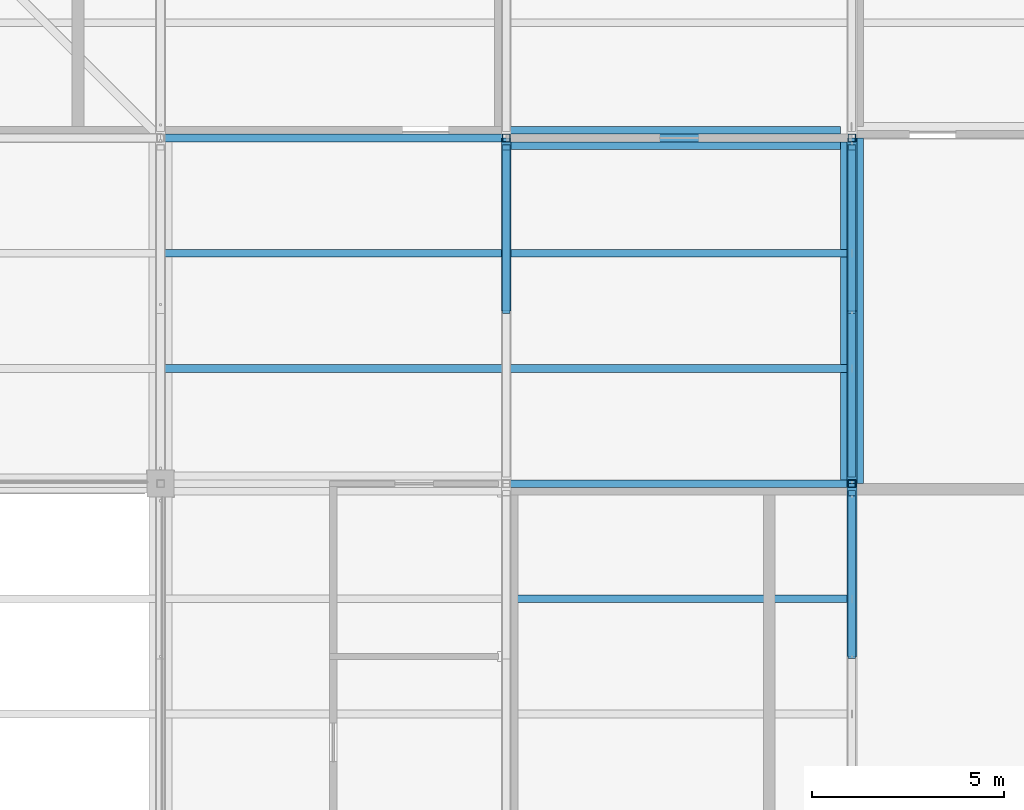
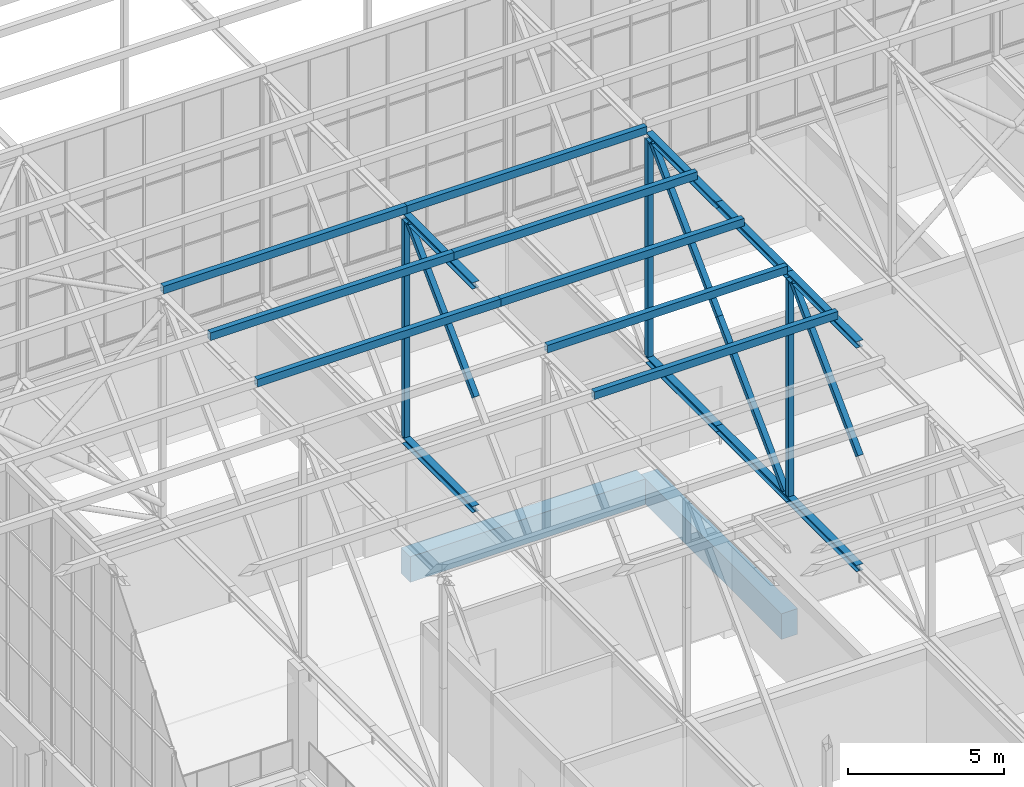
# One storey, part 64 of 646: 26 members, 2 beams.
"""IFC4 building model written with IfcOpenShell, lengths in metres."""

from ifc_helpers import new_model, si_unit, direction, frame, origin, origin_2d, place, context, subcontext, project, spatial, rectangle, hollow_rectangle, i_section, extrude, material, material_profile, profile_set, type_object, element, save


model = new_model("IFC4")

# Units and contexts
model_context = context("Model", 3, precision=1e-05, world=origin(), true_north=direction((0.0, 1.0)))
body_context = subcontext(model_context, "Body", "Model", "MODEL_VIEW")
ifc_project = project(units=[si_unit("LENGTHUNIT", "METRE"), si_unit("AREAUNIT", "SQUARE_METRE"), si_unit("VOLUMEUNIT", "CUBIC_METRE"), si_unit("PLANEANGLEUNIT", "RADIAN"), si_unit("MASSUNIT", "GRAM", prefix="KILO")], contexts=[model_context])

# Site, building, storey
site_placement = place(None, origin())
site = spatial("IfcSite", under=ifc_project, at=site_placement, CompositionType="ELEMENT")
building_placement = place(site_placement, origin())
building = spatial("IfcBuilding", under=site, at=building_placement, Name="Silverbay Arena", CompositionType="ELEMENT")
storey_placement = place(building_placement, frame((0.0, 0.0, 33.5)))
storey = spatial("IfcBuildingStorey", under=building, at=storey_placement, Name="L05", CompositionType="ELEMENT", Elevation=33.5)

# Members
ifc_material_1 = material(Name="Steel S355", Category="steel")
ifc_material_profile_1 = material_profile(ifc_material_1, i_section(OverallWidth=0.254638671875, OverallDepth=0.254150390625, WebThickness=0.008544921875, FlangeThickness=0.01416015625, at=origin_2d()), Name="UC 254x254x73")
ifc_profile_set_1 = profile_set([ifc_material_profile_1], Name="Steel S355")
member_type_1 = type_object("IfcMemberType", Name="Long-span bottom chord UC 254x254x73", PredefinedType="CHORD", material=ifc_profile_set_1)
for number, where, z_axis, x_axis, name in (
    (1, (81.0, 121.5, 4.126953125), (0.0, 1.0, 0.0), (-1.0, 0.0, 0.0), "ROOF TRUSS 10 bottom chord 13b"),
    (2, (81.0, 126.0, 4.126953125), (0.0, 1.0, 0.0), (-1.0, 0.0, 0.0), "ROOF TRUSS 10 bottom chord 14a"),
    (3, (81.0, 130.5, 4.126953125), (0.0, 1.0, 0.0), (-1.0, 0.0, 0.0), "ROOF TRUSS 10 bottom chord 14b"),
):
    element("IfcMember", number, at=place(storey_placement, frame(where, z_axis=z_axis, x_axis=x_axis)), inside=storey, type_object=member_type_1, Name=name, PredefinedType="CHORD", context=body_context, shape_type="SweptSolid", body=[
        extrude(i_section(OverallWidth=0.254638671875, OverallDepth=0.254150390625, WebThickness=0.008544921875, FlangeThickness=0.01416015625, at=origin_2d()), origin(), (0.0, 0.0, 1.0), 4.5),
    ])
ifc_material_2 = material(Name="Steel S355", Category="steel")
ifc_material_profile_2 = material_profile(ifc_material_2, i_section(OverallWidth=0.254638671875, OverallDepth=0.254150390625, WebThickness=0.008544921875, FlangeThickness=0.01416015625, at=origin_2d()), Name="UC 254x254x73")
ifc_profile_set_2 = profile_set([ifc_material_profile_2], Name="Steel S355")
member_type_2 = type_object("IfcMemberType", Name="Long-span top chord UC 254x254x73", PredefinedType="CHORD", material=ifc_profile_set_2)
for number, where, z_axis, x_axis, name in (
    (4, (81.0, 121.5, 12.873046875), (0.0, 1.0, 0.0), (-1.0, 0.0, 0.0), "ROOF TRUSS 10 top chord 13b"),
    (5, (81.0, 126.0, 12.873046875), (0.0, 1.0, 0.0), (-1.0, 0.0, 0.0), "ROOF TRUSS 10 top chord 14a"),
    (6, (81.0, 130.5, 12.873046875), (0.0, 1.0, 0.0), (-1.0, 0.0, 0.0), "ROOF TRUSS 10 top chord 14b"),
):
    element("IfcMember", number, at=place(storey_placement, frame(where, z_axis=z_axis, x_axis=x_axis)), inside=storey, type_object=member_type_2, Name=name, PredefinedType="CHORD", context=body_context, shape_type="SweptSolid", body=[
        extrude(i_section(OverallWidth=0.254638671875, OverallDepth=0.254150390625, WebThickness=0.008544921875, FlangeThickness=0.01416015625, at=origin_2d()), origin(), (0.0, 0.0, 1.0), 4.5),
    ])
ifc_material_3 = material(Name="Steel S355", Category="steel")
ifc_material_profile_3 = material_profile(ifc_material_3, hollow_rectangle(XDim=0.199951171875, YDim=0.199951171875, WallThickness=0.008056640625, at=origin_2d()), Name="SHS 200x200x8")
ifc_profile_set_3 = profile_set([ifc_material_profile_3], Name="Steel S355")
member_type_3 = type_object("IfcMemberType", Name="Long-span truss diagonal SHS 200x200x8", PredefinedType="BRACE", material=ifc_profile_set_3)
member_1_placement = place(storey_placement, frame((81.0, 125.75439453125, 12.745849609375), z_axis=(0.0, -0.706781281828, -0.707432130778), x_axis=(1.0, 0.0, 0.0)))
element("IfcMember", 7, at=member_1_placement, inside=storey, type_object=member_type_3, Name="ROOF TRUSS 10 diagonal 13a", PredefinedType="BRACE", context=body_context, shape_type="SweptSolid", body=[
    extrude(hollow_rectangle(XDim=0.199951171875, YDim=0.199951171875, WallThickness=0.008056640625, at=origin_2d()), origin(), (0.0, 0.0, 1.0), 6.001708984375),
])
for number, where, z_axis, x_axis, name in (
    (8, (81.0, 134.75439453125, 12.745849609375), (0.0, -0.70781724692, -0.706395600894), (1.0, 0.0, 0.0), "ROOF TRUSS 10 diagonal 14a"),
    (9, (81.0, 130.5, 8.5), (0.0, -0.70781724692, -0.706395600894), (1.0, 0.0, 0.0), "ROOF TRUSS 10 diagonal 14b"),
):
    element("IfcMember", number, at=place(storey_placement, frame(where, z_axis=z_axis, x_axis=x_axis)), inside=storey, type_object=member_type_3, Name=name, PredefinedType="BRACE", context=body_context, shape_type="SweptSolid", body=[
        extrude(hollow_rectangle(XDim=0.199951171875, YDim=0.199951171875, WallThickness=0.008056640625, at=origin_2d()), origin(), (0.0, 0.0, 1.0), 6.010498046875),
    ])
ifc_material_4 = material(Name="Steel S355", Category="steel")
ifc_material_profile_4 = material_profile(ifc_material_4, hollow_rectangle(XDim=0.199951171875, YDim=0.199951171875, WallThickness=0.008056640625, at=origin_2d()), Name="SHS 200x200x8")
ifc_profile_set_4 = profile_set([ifc_material_profile_4], Name="Steel S355")
member_type_4 = type_object("IfcMemberType", Name="Long-span truss vertical SHS 200x200x8", PredefinedType="STRUT", material=ifc_profile_set_4)
for number, where, z_axis, x_axis, name in (
    (10, (81.0, 126.0, 4.254150390625), (0.0, 0.0, 1.0), (1.0, 0.0, 0.0), "ROOF TRUSS 10 vertical 14a"),
    (11, (81.0, 126.0, 8.5), (0.0, 0.0, 1.0), (1.0, 0.0, 0.0), "ROOF TRUSS 10 vertical 14b"),
    (12, (81.0, 135.0, 4.254150390625), (0.0, 0.0, 1.0), (1.0, 0.0, 0.0), "ROOF TRUSS 10 vertical 15a"),
    (13, (81.0, 135.0, 8.5), (0.0, 0.0, 1.0), (1.0, 0.0, 0.0), "ROOF TRUSS 10 vertical 15b"),
):
    element("IfcMember", number, at=place(storey_placement, frame(where, z_axis=z_axis, x_axis=x_axis)), inside=storey, type_object=member_type_4, Name=name, PredefinedType="STRUT", context=body_context, shape_type="SweptSolid", body=[
        extrude(hollow_rectangle(XDim=0.199951171875, YDim=0.199951171875, WallThickness=0.008056640625, at=origin_2d()), origin(), (0.0, 0.0, 1.0), 4.245849609375),
    ])
ifc_material_5 = material(Name="Steel S355", Category="steel")
ifc_material_profile_5 = material_profile(ifc_material_5, i_section(OverallWidth=0.254638671875, OverallDepth=0.254150390625, WebThickness=0.008544921875, FlangeThickness=0.01416015625, at=origin_2d()), Name="UC 254x254x73")
ifc_profile_set_5 = profile_set([ifc_material_profile_5], Name="Steel S355")
member_type_5 = type_object("IfcMemberType", Name="Medium-span bottom chord UC 254x254x73", PredefinedType="CHORD", material=ifc_profile_set_5)
member_2_placement = place(storey_placement, frame((72.0, 130.5, 4.126953125), z_axis=(0.0, 1.0, 0.0), x_axis=(-1.0, 0.0, 0.0)))
element("IfcMember", 14, at=member_2_placement, inside=storey, type_object=member_type_5, Name="ROOF TRUSS 9 bottom chord 14b", PredefinedType="CHORD", context=body_context, shape_type="SweptSolid", body=[
    extrude(i_section(OverallWidth=0.254638671875, OverallDepth=0.254150390625, WebThickness=0.008544921875, FlangeThickness=0.01416015625, at=origin_2d()), origin(), (0.0, 0.0, 1.0), 4.5),
])
ifc_material_6 = material(Name="Steel S355", Category="steel")
ifc_material_profile_6 = material_profile(ifc_material_6, i_section(OverallWidth=0.254638671875, OverallDepth=0.254150390625, WebThickness=0.008544921875, FlangeThickness=0.01416015625, at=origin_2d()), Name="UC 254x254x73")
ifc_profile_set_6 = profile_set([ifc_material_profile_6], Name="Steel S355")
member_type_6 = type_object("IfcMemberType", Name="Medium-span top chord UC 254x254x73", PredefinedType="CHORD", material=ifc_profile_set_6)
member_3_placement = place(storey_placement, frame((72.0, 130.5, 12.873046875), z_axis=(0.0, 1.0, 0.0), x_axis=(-1.0, 0.0, 0.0)))
element("IfcMember", 15, at=member_3_placement, inside=storey, type_object=member_type_6, Name="ROOF TRUSS 9 top chord 14b", PredefinedType="CHORD", context=body_context, shape_type="SweptSolid", body=[
    extrude(i_section(OverallWidth=0.254638671875, OverallDepth=0.254150390625, WebThickness=0.008544921875, FlangeThickness=0.01416015625, at=origin_2d()), origin(), (0.0, 0.0, 1.0), 4.5),
])
ifc_material_7 = material(Name="Steel S355", Category="steel")
ifc_material_profile_7 = material_profile(ifc_material_7, hollow_rectangle(XDim=0.199951171875, YDim=0.199951171875, WallThickness=0.008056640625, at=origin_2d()), Name="SHS 200x200x8")
ifc_profile_set_7 = profile_set([ifc_material_profile_7], Name="Steel S355")
member_type_7 = type_object("IfcMemberType", Name="Medium-span truss diagonal SHS 200x200x8", PredefinedType="BRACE", material=ifc_profile_set_7)
member_4_placement = place(storey_placement, frame((72.0, 134.75439453125, 12.745849609375), z_axis=(0.0, -0.70781724692, -0.706395600894), x_axis=(1.0, 0.0, 0.0)))
element("IfcMember", 16, at=member_4_placement, inside=storey, type_object=member_type_7, Name="ROOF TRUSS 9 diagonal 14a", PredefinedType="BRACE", context=body_context, shape_type="SweptSolid", body=[
    extrude(hollow_rectangle(XDim=0.199951171875, YDim=0.199951171875, WallThickness=0.008056640625, at=origin_2d()), origin(), (0.0, 0.0, 1.0), 6.010498046875),
])
ifc_material_8 = material(Name="Steel S355", Category="steel")
ifc_material_profile_8 = material_profile(ifc_material_8, hollow_rectangle(XDim=0.199951171875, YDim=0.199951171875, WallThickness=0.008056640625, at=origin_2d()), Name="SHS 200x200x8")
ifc_profile_set_8 = profile_set([ifc_material_profile_8], Name="Steel S355")
member_type_8 = type_object("IfcMemberType", Name="Medium-span truss vertical SHS 200x200x8", PredefinedType="STRUT", material=ifc_profile_set_8)
for number, where, z_axis, x_axis, name in (
    (17, (72.0, 135.0, 4.254150390625), (0.0, 0.0, 1.0), (1.0, 0.0, 0.0), "ROOF TRUSS 9 vertical 15a"),
    (18, (72.0, 135.0, 8.5), (0.0, 0.0, 1.0), (1.0, 0.0, 0.0), "ROOF TRUSS 9 vertical 15b"),
):
    element("IfcMember", number, at=place(storey_placement, frame(where, z_axis=z_axis, x_axis=x_axis)), inside=storey, type_object=member_type_8, Name=name, PredefinedType="STRUT", context=body_context, shape_type="SweptSolid", body=[
        extrude(hollow_rectangle(XDim=0.199951171875, YDim=0.199951171875, WallThickness=0.008056640625, at=origin_2d()), origin(), (0.0, 0.0, 1.0), 4.245849609375),
    ])
ifc_material_9 = material(Name="Steel S355", Category="steel")
ifc_material_profile_9 = material_profile(ifc_material_9, hollow_rectangle(XDim=0.199951171875, YDim=0.300048828125, WallThickness=0.00634765625, at=origin_2d()), Name="RHS 300x200x6.3")
ifc_profile_set_9 = profile_set([ifc_material_profile_9], Name="Steel S355")
member_type_9 = type_object("IfcMemberType", Name="Purlin RHS 300x200x6.3", PredefinedType="PURLIN", material=ifc_profile_set_9)
for number, where, z_axis, x_axis, name in (
    (19, (63.0, 129.0, 13.14990234375), (1.0, 0.0, 0.0), (0.0, 1.0, 0.0), "ROOF PURLIN 8-9 line 41"),
    (20, (63.0, 132.0, 13.14990234375), (1.0, 0.0, 0.0), (0.0, 1.0, 0.0), "ROOF PURLIN 8-9 line 42"),
    (21, (63.0, 135.0, 13.14990234375), (1.0, 0.0, 0.0), (0.0, 1.0, 0.0), "ROOF PURLIN 8-9 line 43"),
    (22, (72.0, 123.0, 13.14990234375), (1.0, 0.0, 0.0), (0.0, 1.0, 0.0), "ROOF PURLIN 9-10 line 39"),
):
    element("IfcMember", number, at=place(storey_placement, frame(where, z_axis=z_axis, x_axis=x_axis)), inside=storey, type_object=member_type_9, Name=name, PredefinedType="PURLIN", context=body_context, shape_type="SweptSolid", body=[
        extrude(hollow_rectangle(XDim=0.199951171875, YDim=0.300048828125, WallThickness=0.00634765625, at=origin_2d()), origin(), (0.0, 0.0, 1.0), 9.0),
    ])
member_5_placement = place(storey_placement, frame((72.0, 126.0, 13.14990234375), z_axis=(1.0, 0.0, 0.0), x_axis=(0.0, 1.0, 0.0)))
element("IfcMember", 23, at=member_5_placement, inside=storey, type_object=member_type_9, Name="ROOF PURLIN 9-10 line 40", PredefinedType="PURLIN", context=body_context, shape_type="SweptSolid", body=[
    extrude(hollow_rectangle(XDim=0.199951171875, YDim=0.300048828125, WallThickness=0.00634765625, at=origin_2d()), origin(), (0.0, 0.0, 1.0), 8.875),
])
for number, where, z_axis, x_axis, name in (
    (24, (72.0, 129.0, 13.14990234375), (1.0, 0.0, 0.0), (0.0, 1.0, 0.0), "ROOF PURLIN 9-10 line 41"),
    (25, (72.0, 132.0, 13.14990234375), (1.0, 0.0, 0.0), (0.0, 1.0, 0.0), "ROOF PURLIN 9-10 line 42"),
):
    element("IfcMember", number, at=place(storey_placement, frame(where, z_axis=z_axis, x_axis=x_axis)), inside=storey, type_object=member_type_9, Name=name, PredefinedType="PURLIN", context=body_context, shape_type="SweptSolid", body=[
        extrude(hollow_rectangle(XDim=0.199951171875, YDim=0.300048828125, WallThickness=0.00634765625, at=origin_2d()), origin(), (0.0, 0.0, 1.0), 9.0),
    ])
member_6_placement = place(storey_placement, frame((72.0, 135.0, 13.14990234375), z_axis=(1.0, 0.0, 0.0), x_axis=(0.0, 1.0, 0.0)))
element("IfcMember", 26, at=member_6_placement, inside=storey, type_object=member_type_9, Name="ROOF PURLIN 9-10 line 43", PredefinedType="PURLIN", context=body_context, shape_type="SweptSolid", body=[
    extrude(hollow_rectangle(XDim=0.199951171875, YDim=0.300048828125, WallThickness=0.00634765625, at=origin_2d()), origin(), (0.0, 0.0, 1.0), 8.875),
])

# Beams
ifc_material_10 = material(Name="Concrete Grade C45", Category="concrete")
ifc_material_profile_10 = material_profile(ifc_material_10, rectangle(XDim=0.60009765625, YDim=1.0, at=origin_2d()), Name="RC 600x1000")
ifc_profile_set_10 = profile_set([ifc_material_profile_10], Name="Concrete Grade C45")
beam_type = type_object("IfcBeamType", Name="RC beam 600x1000", PredefinedType="BEAM", material=ifc_profile_set_10)
beam_1_placement = place(storey_placement, frame((72.0, 135.0, -0.800048828125), z_axis=(1.0, 0.0, 0.0), x_axis=(0.0, 1.0, 0.0)))
element("IfcBeam", 27, at=beam_1_placement, inside=storey, type_object=beam_type, Name="Floor beam L05 061", PredefinedType="BEAM", context=body_context, shape_type="SweptSolid", body=[
    extrude(rectangle(XDim=0.60009765625, YDim=1.0, at=origin_2d()), origin(), (0.0, 0.0, 1.0), 8.699951171875),
])
beam_2_placement = place(storey_placement, frame((81.0, 126.0, -0.800048828125), z_axis=(0.0, 1.0, 0.0), x_axis=(-1.0, 0.0, 0.0)))
element("IfcBeam", 28, at=beam_2_placement, inside=storey, type_object=beam_type, Name="Floor beam L05 088", PredefinedType="BEAM", context=body_context, shape_type="SweptSolid", body=[
    extrude(rectangle(XDim=0.60009765625, YDim=1.0, at=origin_2d()), origin(), (0.0, 0.0, 1.0), 9.0),
])

save(model, "model.ifc")
